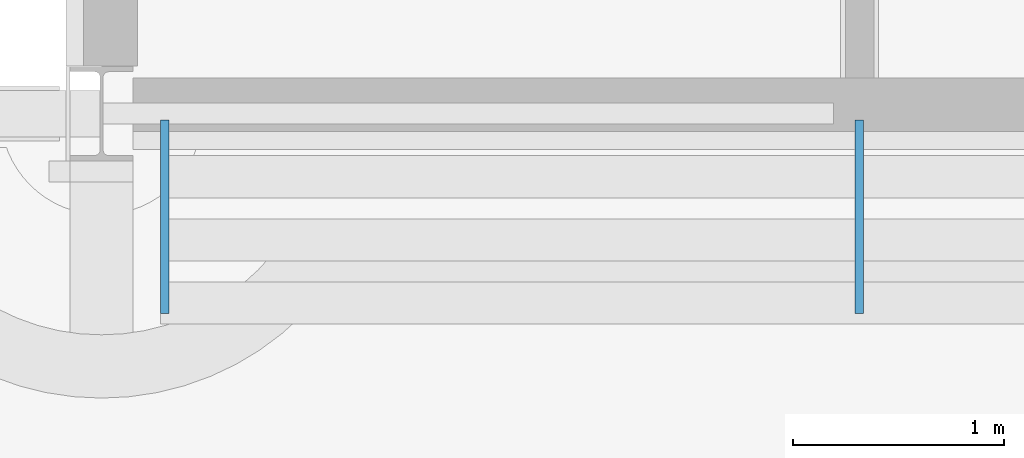
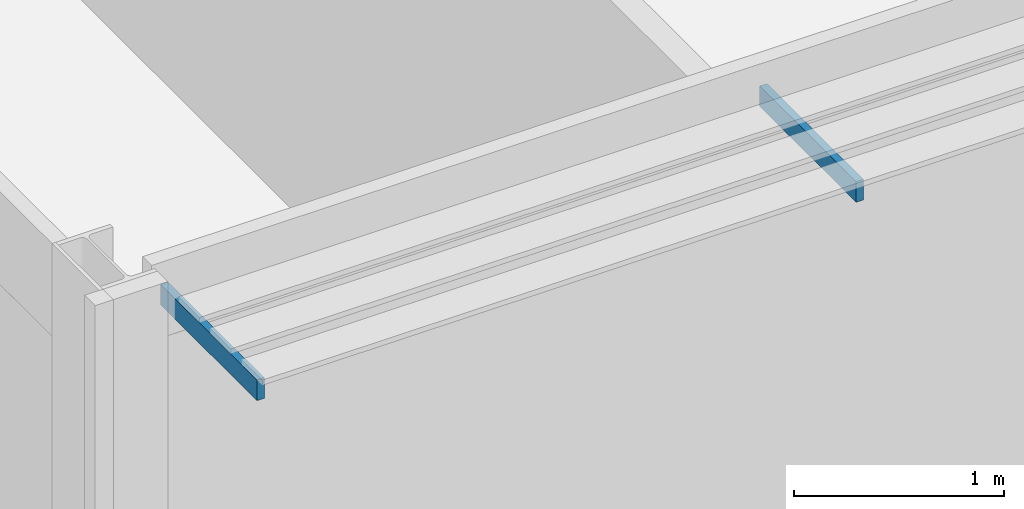
# One storey, part 54 of 110: 2 discrete accessories.
"""IFC4 building model written with IfcOpenShell, lengths in metres."""

from ifc_helpers import new_model, si_unit, direction, frame, origin, origin_2d, place, context, subcontext, project, spatial, rectangle, extrude, material, layer, layer_set, type_object, element, save


model = new_model("IFC4")

# Units and contexts
model_context = context("Model", 3, precision=1e-05, world=origin(), true_north=direction((0.0, 1.0)))
body_context = subcontext(model_context, "Body", "Model", "MODEL_VIEW")
ifc_project = project(units=[si_unit("LENGTHUNIT", "METRE"), si_unit("AREAUNIT", "SQUARE_METRE"), si_unit("VOLUMEUNIT", "CUBIC_METRE"), si_unit("PLANEANGLEUNIT", "RADIAN"), si_unit("MASSUNIT", "GRAM", prefix="KILO")], contexts=[model_context])

# Site, building, storey
site_placement = place(None, origin())
site = spatial("IfcSite", under=ifc_project, at=site_placement, CompositionType="ELEMENT")
building_placement = place(site_placement, origin())
building = spatial("IfcBuilding", under=site, at=building_placement, Name="Kupolbacken Congress Centre", CompositionType="ELEMENT")
storey_placement = place(building_placement, frame((0.0, 0.0, 18.0)))
storey = spatial("IfcBuildingStorey", under=building, at=storey_placement, Name="L05", CompositionType="ELEMENT", Elevation=18.0)

# Discrete accessories
ifc_material = material(Name="Steel S355", Category="steel")
ifc_layer = layer(ifc_material, 0.011962890625)
ifc_layer_set = layer_set([ifc_layer], Name="Steel S355")
discrete_accessory_type = type_object("IfcDiscreteAccessoryType", Name="BK1 bracket 150 x 150 x 12", PredefinedType="BRACKET", material=ifc_layer_set)
for number, where, z_axis, x_axis, name in (
    (1, (65.10009765625, 121.909912109375, 3.239990234375), (0.0, 0.0, 1.0), (1.0, 0.0, 0.0), "Brise-soleil arm"),
    (2, (68.398193359375, 121.909912109375, 3.239990234375), (0.0, 0.0, 1.0), (1.0, 0.0, 0.0), "Brise-soleil arm"),
):
    element("IfcDiscreteAccessory", number, at=place(storey_placement, frame(where, z_axis=z_axis, x_axis=x_axis)), inside=storey, type_object=discrete_accessory_type, Name=name, PredefinedType="BRACKET", context=body_context, shape_type="SweptSolid", body=[
        extrude(rectangle(XDim=0.0400390625, YDim=0.919921875, at=origin_2d()), origin(), (0.0, 0.0, 1.0), 0.1201171875),
    ])

save(model, "model.ifc")
